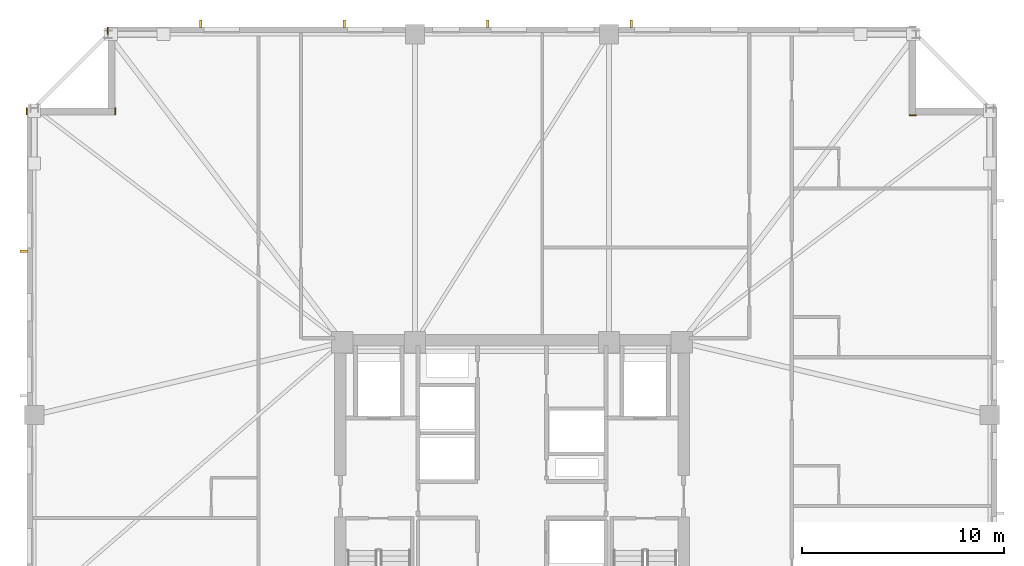
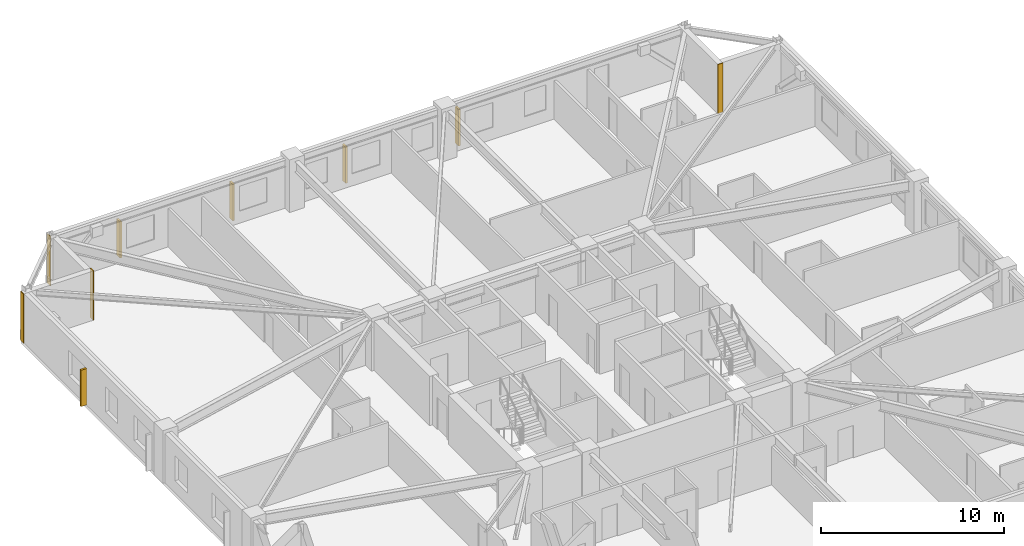
# One storey, part 10 of 11: 5 shading devices, 4 coverings.
"""IFC4 building model written with IfcOpenShell, lengths in metres."""

from ifc_helpers import new_model, si_unit, direction, frame, frame_2d, origin, origin_2d, place, context, subcontext, project, spatial, rectangle, extrude, material, layer, layer_set, type_object, element, save


model = new_model("IFC4")

# Units and contexts
model_context = context("Model", 3, precision=1e-05, world=origin(), true_north=direction((0.0, 1.0)))
body_context = subcontext(model_context, "Body", "Model", "MODEL_VIEW")
ifc_project = project(units=[si_unit("LENGTHUNIT", "METRE"), si_unit("AREAUNIT", "SQUARE_METRE"), si_unit("VOLUMEUNIT", "CUBIC_METRE"), si_unit("PLANEANGLEUNIT", "RADIAN"), si_unit("MASSUNIT", "GRAM", prefix="KILO")], contexts=[model_context])

# Site, building, storey
site_placement = place(None, origin())
site = spatial("IfcSite", under=ifc_project, at=site_placement, CompositionType="ELEMENT")
building_placement = place(site_placement, origin())
building = spatial("IfcBuilding", under=site, at=building_placement, Name="Cairnveth Concourse Tower", CompositionType="ELEMENT")
storey_placement = place(building_placement, frame((0.0, 0.0, 130.5)))
storey = spatial("IfcBuildingStorey", under=building, at=storey_placement, Name="L35", CompositionType="ELEMENT", Elevation=130.5)

# Coverings
ifc_material_1 = material(Name="Dressed Melbourne Bluestone Cladding", Category="masonry")
ifc_layer = layer(ifc_material_1, 0.050048828125)
ifc_layer_set = layer_set([ifc_layer], Name="Dressed Melbourne Bluestone Cladding")
covering_type = type_object("IfcCoveringType", Name="DRESSED BLUESTONE PLINTH CLADDING 50", PredefinedType="CLADDING", material=ifc_layer_set)
for number, where, z_axis, x_axis, name in (
    (1, (27.97998046875, 58.659912109375, 0.0), (0.0, 0.0, 1.0), (0.0, 1.0, 0.0), "Melbourne Bluestone Corner Quoin L35-500"),
    (2, (32.360107421875, 58.659912109375, 0.0), (0.0, 0.0, 1.0), (0.0, 1.0, 0.0), "Melbourne Bluestone Corner Quoin L35-501"),
    (3, (31.97998046875, 62.659912109375, 0.0), (0.0, 0.0, 1.0), (0.0, 1.0, 0.0), "Melbourne Bluestone Corner Quoin L35-502"),
    (4, (71.659912109375, 58.639892578125, 0.0), (0.0, 0.0, 1.0), (1.0, 0.0, 0.0), "Melbourne Bluestone Corner Quoin L35-504"),
):
    element("IfcCovering", number, at=place(storey_placement, frame(where, z_axis=z_axis, x_axis=x_axis)), inside=storey, type_object=covering_type, Name=name, PredefinedType="CLADDING", context=body_context, shape_type="SweptSolid", body=[
        extrude(rectangle(XDim=0.340087890625, YDim=0.050048828125, at=frame_2d((0.169921875, 0.0))), origin(), (0.0, 0.0, 1.0), 3.280029296875),
    ])

# Shading devices
ifc_material_2 = material(Name="Architectural Bronze Anodised Aluminium 6063-T6", Category="aluminium")
shading_device_type = type_object("IfcShadingDeviceType", Name="GOTHIC BRONZE VERTICAL LANCET FIN", PredefinedType="USERDEFINED", material=ifc_material_2)
for number, where, z_axis, x_axis, name in (
    (5, (27.824951171875, 51.898681640625, 0.030029296875), (0.0, 0.0, 1.0), (0.0, 1.0, 0.0), "Gothic Bronze Vertical Fin L35-0-5"),
    (6, (36.591796875, 63.175048828125, 0.030029296875), (0.0, 0.0, 1.0), (1.0, 0.0, 0.0), "Gothic Bronze Vertical Fin L35-3-1"),
    (7, (43.698974609375, 63.175048828125, 0.030029296875), (0.0, 0.0, 1.0), (1.0, 0.0, 0.0), "Gothic Bronze Vertical Fin L35-3-3"),
    (8, (50.805908203125, 63.175048828125, 0.030029296875), (0.0, 0.0, 1.0), (1.0, 0.0, 0.0), "Gothic Bronze Vertical Fin L35-3-5"),
    (9, (57.9130859375, 63.175048828125, 0.030029296875), (0.0, 0.0, 1.0), (1.0, 0.0, 0.0), "Gothic Bronze Vertical Fin L35-3-7"),
):
    element("IfcShadingDevice", number, at=place(storey_placement, frame(where, z_axis=z_axis, x_axis=x_axis)), inside=storey, type_object=shading_device_type, Name=name, ObjectType="VERTICAL FIN", PredefinedType="USERDEFINED", context=body_context, shape_type="SweptSolid", body=[
        extrude(rectangle(XDim=0.1201171875, YDim=0.360107421875, at=origin_2d()), origin(), (0.0, 0.0, 1.0), 2.419921875),
    ])

save(model, "model.ifc")
